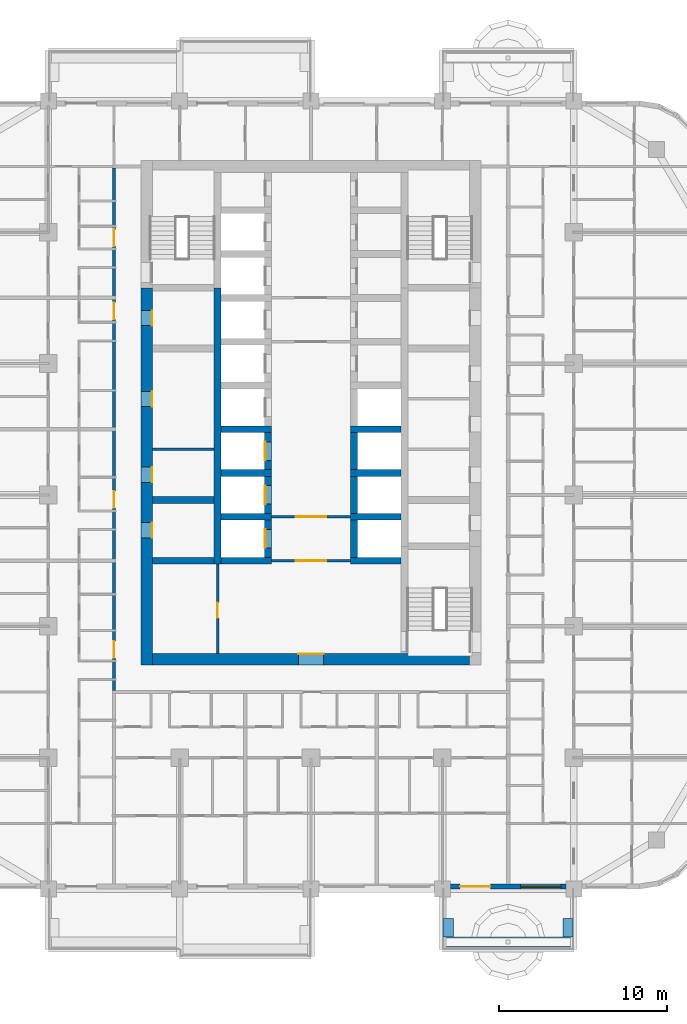
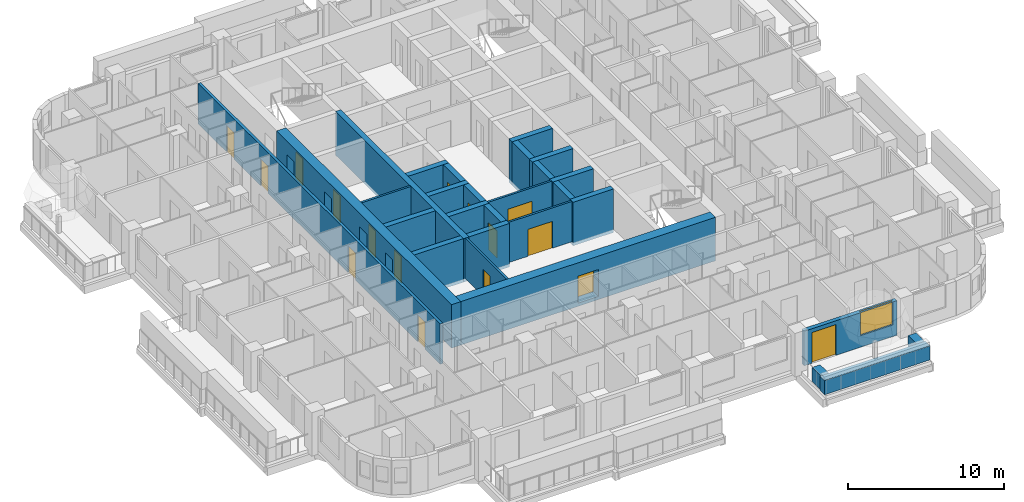
# One storey, part 6 of 19: 28 walls, 16 doors, 1 window, 17 openings.
"""IFC4 building model written with IfcOpenShell, lengths in metres."""

from ifc_helpers import new_model, si_unit, direction, frame, frame_2d, origin, place, context, subcontext, project, spatial, rectangle, extrude, material, layer, layer_set, type_object, element, fill, save


model = new_model("IFC4")

# Units and contexts
model_context = context("Model", 3, precision=1e-05, world=origin(), true_north=direction((0.0, 1.0)))
body_context = subcontext(model_context, "Body", "Model", "MODEL_VIEW")
ifc_project = project(units=[si_unit("LENGTHUNIT", "METRE"), si_unit("AREAUNIT", "SQUARE_METRE"), si_unit("VOLUMEUNIT", "CUBIC_METRE"), si_unit("PLANEANGLEUNIT", "RADIAN"), si_unit("MASSUNIT", "GRAM", prefix="KILO")], contexts=[model_context])

# Site, building, storey
site_placement = place(None, origin())
site = spatial("IfcSite", under=ifc_project, at=site_placement, CompositionType="ELEMENT")
building_placement = place(site_placement, origin())
building = spatial("IfcBuilding", under=site, at=building_placement, Name="Ludao Terraces", CompositionType="ELEMENT")
storey_placement = place(building_placement, frame((0.0, 0.0, 68.199951171875)))
storey = spatial("IfcBuildingStorey", under=building, at=storey_placement, Name="L18", CompositionType="ELEMENT", Elevation=68.199951171875)

# Wall, openings, doors
ifc_material_1 = material(Name="Concrete C70", Category="concrete")
ifc_layer_1 = layer(ifc_material_1, 0.699951171875)
ifc_layer_set_1 = layer_set([ifc_layer_1], Name="Core wall 700 C70")
wall_type_1 = type_object("IfcWallType", Name="Core wall 700 C70", PredefinedType="SOLIDWALL", material=ifc_layer_set_1)
wall_1_placement = place(storey_placement, frame((75.25, 54.89990234375, -0.25), z_axis=(0.0, 0.0, 1.0), x_axis=(0.0, 1.0, 0.0)))
wall_1 = element("IfcWall", 1, at=wall_1_placement, inside=storey, type_object=wall_type_1, Name="Core wall L18 outer-W", PredefinedType="SOLIDWALL", context=body_context, shape_type="SweptSolid", body=[
    extrude(rectangle(XDim=22.400146484375, YDim=0.699951171875, at=frame_2d((11.2001953125, 0.0))), origin(), (0.0, 0.0, 1.0), 3.400146484375),
])
opening_1_placement = place(wall_1_placement, frame((7.550048828125, 0.0, 0.25)))
opening_1 = element("IfcOpeningElement", 2, at=opening_1_placement, cuts=wall_1, Name="Opening R05-079", PredefinedType="OPENING", context=body_context, shape_type="SweptSolid", body=[
    extrude(rectangle(XDim=0.89990234375, YDim=2.10009765625, at=frame_2d((0.449951171875, 1.050048828125))), frame((0.0, 0.35986328125, 0.0), z_axis=(0.0, -1.0, 0.0), x_axis=(1.0, 0.0, 0.0)), (0.0, 0.0, 1.0), 0.719970703125),
])
opening_2_placement = place(wall_1_placement, frame((10.85009765625, 0.0, 0.25)))
opening_2 = element("IfcOpeningElement", 3, at=opening_2_placement, cuts=wall_1, Name="Opening R05-092", PredefinedType="OPENING", context=body_context, shape_type="SweptSolid", body=[
    extrude(rectangle(XDim=0.89990234375, YDim=2.10009765625, at=frame_2d((0.449951171875, 1.050048828125))), frame((0.0, 0.35986328125, 0.0), z_axis=(0.0, -1.0, 0.0), x_axis=(1.0, 0.0, 0.0)), (0.0, 0.0, 1.0), 0.719970703125),
])
opening_3_placement = place(wall_1_placement, frame((15.35009765625, 0.0, 0.25)))
opening_3 = element("IfcOpeningElement", 4, at=opening_3_placement, cuts=wall_1, Name="Opening R05-105", PredefinedType="OPENING", context=body_context, shape_type="SweptSolid", body=[
    extrude(rectangle(XDim=0.89990234375, YDim=2.10009765625, at=frame_2d((0.449951171875, 1.050048828125))), frame((0.0, 0.35986328125, 0.0), z_axis=(0.0, -1.0, 0.0), x_axis=(1.0, 0.0, 0.0)), (0.0, 0.0, 1.0), 0.719970703125),
])
opening_4_placement = place(wall_1_placement, frame((20.14990234375, 0.0, 0.25)))
opening_4 = element("IfcOpeningElement", 5, at=opening_4_placement, cuts=wall_1, Name="Opening R05-123", PredefinedType="OPENING", context=body_context, shape_type="SweptSolid", body=[
    extrude(rectangle(XDim=0.89990234375, YDim=2.10009765625, at=frame_2d((0.449951171875, 1.050048828125))), frame((0.0, 0.35986328125, 0.0), z_axis=(0.0, -1.0, 0.0), x_axis=(1.0, 0.0, 0.0)), (0.0, 0.0, 1.0), 0.719970703125),
])
ifc_material_2 = material(Name="Steel Q235", Category="steel")
door_type_1 = type_object("IfcDoorType", Name="INT Riser door 900", OperationType="SINGLE_SWING_LEFT", PredefinedType="DOOR", material=ifc_material_2)
door_1_placement = place(opening_1_placement, origin())
door_1 = element("IfcDoor", 6, at=door_1_placement, inside=storey, type_object=door_type_1, Name="DOOR 079", OperationType="SINGLE_SWING_RIGHT", OverallHeight=2.10009765625, OverallWidth=0.89990234375, PredefinedType="DOOR", context=body_context, shape_type="SweptSolid", body=[
    extrude(rectangle(XDim=0.89990234375, YDim=2.10009765625, at=frame_2d((0.449951171875, 1.050048828125))), frame((0.0, -0.28515625, 0.0), z_axis=(0.0, -1.0, 0.0), x_axis=(1.0, 0.0, 0.0)), (0.0, 0.0, 1.0), 0.050048828125),
])
fill(opening_1, door_1)
door_2_placement = place(opening_4_placement, origin())
door_2 = element("IfcDoor", 7, at=door_2_placement, inside=storey, type_object=door_type_1, Name="DOOR 123", OperationType="SINGLE_SWING_RIGHT", OverallHeight=2.10009765625, OverallWidth=0.89990234375, PredefinedType="DOOR", context=body_context, shape_type="SweptSolid", body=[
    extrude(rectangle(XDim=0.89990234375, YDim=2.10009765625, at=frame_2d((0.449951171875, 1.050048828125))), frame((0.0, -0.28515625, 0.0), z_axis=(0.0, -1.0, 0.0), x_axis=(1.0, 0.0, 0.0)), (0.0, 0.0, 1.0), 0.050048828125),
])
fill(opening_4, door_2)
ifc_material_3 = material(Name="Timber door leaf", Category="wood")
door_type_2 = type_object("IfcDoorType", Name="INT Room door 900", OperationType="SINGLE_SWING_LEFT", PredefinedType="DOOR", material=ifc_material_3)
door_3_placement = place(opening_2_placement, origin())
door_3 = element("IfcDoor", 8, at=door_3_placement, inside=storey, type_object=door_type_2, Name="DOOR 092", OperationType="SINGLE_SWING_RIGHT", OverallHeight=2.10009765625, OverallWidth=0.89990234375, PredefinedType="DOOR", context=body_context, shape_type="SweptSolid", body=[
    extrude(rectangle(XDim=0.89990234375, YDim=2.10009765625, at=frame_2d((0.449951171875, 1.050048828125))), frame((0.0, -0.28515625, 0.0), z_axis=(0.0, -1.0, 0.0), x_axis=(1.0, 0.0, 0.0)), (0.0, 0.0, 1.0), 0.050048828125),
])
fill(opening_2, door_3)
door_4_placement = place(opening_3_placement, origin())
door_4 = element("IfcDoor", 9, at=door_4_placement, inside=storey, type_object=door_type_2, Name="DOOR 105", OperationType="SINGLE_SWING_LEFT", OverallHeight=2.10009765625, OverallWidth=0.89990234375, PredefinedType="DOOR", context=body_context, shape_type="SweptSolid", body=[
    extrude(rectangle(XDim=0.89990234375, YDim=2.10009765625, at=frame_2d((0.449951171875, 1.050048828125))), frame((0.0, -0.28515625, 0.0), z_axis=(0.0, -1.0, 0.0), x_axis=(1.0, 0.0, 0.0)), (0.0, 0.0, 1.0), 0.050048828125),
])
fill(opening_3, door_4)

# Wall, opening, door
wall_2_placement = place(storey_placement, frame((75.60009765625, 55.25, -0.25), z_axis=(0.0, 0.0, 1.0), x_axis=(1.0, 0.0, 0.0)))
wall_2 = element("IfcWall", 10, at=wall_2_placement, inside=storey, type_object=wall_type_1, Name="Core wall L18 outer-S", PredefinedType="SOLIDWALL", context=body_context, shape_type="SweptSolid", body=[
    extrude(rectangle(XDim=18.7998046875, YDim=0.699951171875, at=frame_2d((9.39990234375, 0.0))), origin(), (0.0, 0.0, 1.0), 3.400146484375),
])
opening_5_placement = place(wall_2_placement, frame((8.64990234375, 0.0, 0.25)))
opening_5 = element("IfcOpeningElement", 11, at=opening_5_placement, cuts=wall_2, Name="Opening R05-054", PredefinedType="OPENING", context=body_context, shape_type="SweptSolid", body=[
    extrude(rectangle(XDim=1.5, YDim=2.10009765625, at=frame_2d((0.75, 1.050048828125))), frame((0.0, 0.35986328125, 0.0), z_axis=(0.0, -1.0, 0.0), x_axis=(1.0, 0.0, 0.0)), (0.0, 0.0, 1.0), 0.719970703125),
])
door_type_3 = type_object("IfcDoorType", Name="INT Lobby door 1500", OperationType="DOUBLE_DOOR_SINGLE_SWING", PredefinedType="DOOR", material=ifc_material_2)
door_5_placement = place(opening_5_placement, origin())
door_5 = element("IfcDoor", 12, at=door_5_placement, inside=storey, type_object=door_type_3, Name="DOOR 054", OperationType="DOUBLE_DOOR_SINGLE_SWING", OverallHeight=2.10009765625, OverallWidth=1.5, PredefinedType="DOOR", context=body_context, shape_type="SweptSolid", body=[
    extrude(rectangle(XDim=1.5, YDim=2.10009765625, at=frame_2d((0.75, 1.050048828125))), frame((0.0, 0.3349609375, 0.0), z_axis=(0.0, -1.0, 0.0), x_axis=(1.0, 0.0, 0.0)), (0.0, 0.0, 1.0), 0.050048828125),
])
fill(opening_5, door_5)

# Walls
ifc_material_4 = material(Name="Concrete C40", Category="concrete")
ifc_layer_2 = layer(ifc_material_4, 0.60009765625)
ifc_layer_set_2 = layer_set([ifc_layer_2], Name="ENV Planter trough 600")
wall_type_2 = type_object("IfcWallType", Name="ENV Planter trough 600", PredefinedType="USERDEFINED", material=ifc_layer_set_2)
wall_3_placement = place(storey_placement, frame((92.800048828125, 38.449951171875, 0.0), z_axis=(0.0, 0.0, 1.0), x_axis=(1.0, 0.0, 0.0)))
element("IfcWall", 13, at=wall_3_placement, inside=storey, type_object=wall_type_2, Name="PL-L18-S4", ObjectType="PLANTER", PredefinedType="USERDEFINED", context=body_context, shape_type="SweptSolid", body=[
    extrude(rectangle(XDim=7.800048828125, YDim=0.60009765625, at=frame_2d((3.89990234375, 0.0))), origin(), (0.0, 0.0, 1.0), 1.10009765625),
])
for number, where, z_axis, x_axis, name in (
    (14, (93.14990234375, 38.75, 0.0), (0.0, 0.0, 1.0), (0.0, 1.0, 0.0), "PL-L18-S4-SA"),
    (15, (100.25, 38.75, 0.0), (0.0, 0.0, 1.0), (0.0, 1.0, 0.0), "PL-L18-S4-SB"),
):
    element("IfcWall", number, at=place(storey_placement, frame(where, z_axis=z_axis, x_axis=x_axis)), inside=storey, type_object=wall_type_2, Name=name, ObjectType="PLANTER", PredefinedType="USERDEFINED", context=body_context, shape_type="SweptSolid", body=[
        extrude(rectangle(XDim=1.10009765625, YDim=0.60009765625, at=frame_2d((0.550048828125, 0.0))), origin(), (0.0, 0.0, 1.0), 1.10009765625),
    ])

# Wall, openings, door, window
ifc_material_5 = material(Name="Granite cladding", Category="masonry")
ifc_layer_3 = layer(ifc_material_5, 0.0400390625, Category="stone")
ifc_material_6 = material(Name="Mineral wool")
ifc_layer_4 = layer(ifc_material_6, 0.06005859375)
ifc_layer_5 = layer(ifc_material_4, 0.199951171875, Category="concrete")
ifc_layer_set_3 = layer_set([ifc_layer_3, ifc_layer_4, ifc_layer_5], Name="ENV Stone-clad wall 300")
wall_type_3 = type_object("IfcWallType", Name="ENV Stone-clad wall 300", PredefinedType="SOLIDWALL", material=ifc_layer_set_3)
wall_4_placement = place(storey_placement, frame((93.27490234375, 41.75, 0.0), z_axis=(0.0, 0.0, 1.0), x_axis=(1.0, 0.0, 0.0)))
wall_4 = element("IfcWall", 16, at=wall_4_placement, inside=storey, type_object=wall_type_3, Name="EW-L18-S5", PredefinedType="SOLIDWALL", context=body_context, shape_type="SweptSolid", body=[
    extrude(rectangle(XDim=6.85009765625, YDim=0.300048828125, at=frame_2d((3.425048828125, 0.0))), origin(), (0.0, 0.0, 1.0), 2.699951171875),
])
opening_6_placement = place(wall_4_placement, frame((0.574951171875, 0.0, 0.0)))
opening_6 = element("IfcOpeningElement", 17, at=opening_6_placement, cuts=wall_4, Name="Opening BD", PredefinedType="OPENING", context=body_context, shape_type="SweptSolid", body=[
    extrude(rectangle(XDim=1.800048828125, YDim=2.39990234375, at=frame_2d((0.89990234375, 1.199951171875))), frame((0.0, 0.16015625, 0.0), z_axis=(0.0, -1.0, 0.0), x_axis=(1.0, 0.0, 0.0)), (0.0, 0.0, 1.0), 0.320068359375),
])
opening_7_placement = place(wall_4_placement, frame((4.175048828125, 0.0, 0.89990234375)))
opening_7 = element("IfcOpeningElement", 18, at=opening_7_placement, cuts=wall_4, Name="Opening W1", PredefinedType="OPENING", context=body_context, shape_type="SweptSolid", body=[
    extrude(rectangle(XDim=2.39990234375, YDim=1.800048828125, at=frame_2d((1.199951171875, 0.89990234375))), frame((0.0, 0.16015625, 0.0), z_axis=(0.0, -1.0, 0.0), x_axis=(1.0, 0.0, 0.0)), (0.0, 0.0, 1.0), 0.320068359375),
])
ifc_material_7 = material(Name="Aluminium glazed door", Category="aluminium")
ifc_layer_6 = layer(ifc_material_7, 0.06005859375)
ifc_layer_set_4 = layer_set([ifc_layer_6], Name="ENV Balcony door BD 1800x2400")
door_type_4 = type_object("IfcDoorType", Name="ENV Balcony door BD 1800x2400", OperationType="DOUBLE_DOOR_SINGLE_SWING", PredefinedType="DOOR", material=ifc_layer_set_4)
door_6_placement = place(opening_6_placement, origin())
door_6 = element("IfcDoor", 19, at=door_6_placement, inside=storey, type_object=door_type_4, Name="BD-L18-S5-1", OperationType="DOUBLE_DOOR_SINGLE_SWING", OverallHeight=2.39990234375, OverallWidth=1.800048828125, PredefinedType="DOOR", context=body_context, shape_type="SweptSolid", body=[
    extrude(rectangle(XDim=1.800048828125, YDim=2.39990234375, at=frame_2d((0.89990234375, 1.199951171875))), frame((0.0, 0.02490234375, 0.0), z_axis=(0.0, -1.0, 0.0), x_axis=(1.0, 0.0, 0.0)), (0.0, 0.0, 1.0), 0.050048828125),
])
fill(opening_6, door_6)
ifc_material_8 = material(Name="Clear glass in aluminium frame", Category="aluminium")
ifc_layer_7 = layer(ifc_material_8, 0.06005859375)
ifc_layer_set_5 = layer_set([ifc_layer_7], Name="ENV Window W1 2400x1800")
window_type = type_object("IfcWindowType", Name="ENV Window W1 2400x1800", PartitioningType="DOUBLE_PANEL_VERTICAL", PredefinedType="WINDOW", material=ifc_layer_set_5)
window_placement = place(opening_7_placement, origin())
window = element("IfcWindow", 20, at=window_placement, inside=storey, type_object=window_type, Name="W-L18-S5-2", OverallHeight=1.800048828125, OverallWidth=2.39990234375, PartitioningType="DOUBLE_PANEL_VERTICAL", PredefinedType="WINDOW", context=body_context, shape_type="SweptSolid", body=[
    extrude(rectangle(XDim=2.39990234375, YDim=1.800048828125, at=frame_2d((1.199951171875, 0.89990234375))), frame((0.0, 0.030029296875, 0.0), z_axis=(0.0, -1.0, 0.0), x_axis=(1.0, 0.0, 0.0)), (0.0, 0.0, 1.0), 0.06005859375),
])
fill(opening_7, window)

# Wall, opening, door
ifc_material_9 = material(Name="Fire-rated gypsum plasterboard", Category="gypsum")
ifc_layer_8 = layer(ifc_material_9, 0.012451171875, Category="gypsum")
ifc_layer_9 = layer(ifc_material_6, 0.10009765625, Name="insulation")
ifc_layer_10 = layer(ifc_material_2, 0.02490234375, Name="stud")
ifc_layer_11 = layer(ifc_material_9, 0.012451171875, Category="gypsum")
ifc_layer_set_6 = layer_set([ifc_layer_8, ifc_layer_9, ifc_layer_10, ifc_layer_11], Name="INT Core partition 150")
wall_type_4 = type_object("IfcWallType", Name="INT Core partition 150", PredefinedType="PARTITIONING", material=ifc_layer_set_6)
wall_5_placement = place(storey_placement, frame((82.650146484375, 61.10009765625, 0.0), z_axis=(0.0, 0.0, 1.0), x_axis=(1.0, 0.0, 0.0)))
wall_5 = element("IfcWall", 21, at=wall_5_placement, inside=storey, type_object=wall_type_4, Name="PW-L18-PW034", PredefinedType="PARTITIONING", context=body_context, shape_type="SweptSolid", body=[
    extrude(rectangle(XDim=4.699951171875, YDim=0.14990234375, at=frame_2d((2.35009765625, 0.0))), origin(), (0.0, 0.0, 1.0), 3.150146484375),
])
opening_8_placement = place(wall_5_placement, frame((1.449951171875, 0.0, 0.0)))
opening_8 = element("IfcOpeningElement", 22, at=opening_8_placement, cuts=wall_5, Name="Opening R05-073", PredefinedType="OPENING", context=body_context, shape_type="SweptSolid", body=[
    extrude(rectangle(XDim=1.800048828125, YDim=2.10009765625, at=frame_2d((0.89990234375, 1.050048828125))), frame((0.0, 0.0849609375, 0.0), z_axis=(0.0, -1.0, 0.0), x_axis=(1.0, 0.0, 0.0)), (0.0, 0.0, 1.0), 0.169921875),
])
door_type_5 = type_object("IfcDoorType", Name="INT Fire lobby door 1800", OperationType="DOUBLE_DOOR_SINGLE_SWING", PredefinedType="DOOR", material=ifc_material_2)
door_7_placement = place(opening_8_placement, origin())
door_7 = element("IfcDoor", 23, at=door_7_placement, inside=storey, type_object=door_type_5, Name="DOOR 073", OperationType="DOUBLE_DOOR_SINGLE_SWING", OverallHeight=2.10009765625, OverallWidth=1.800048828125, PredefinedType="DOOR", context=body_context, shape_type="SweptSolid", body=[
    extrude(rectangle(XDim=1.800048828125, YDim=2.10009765625, at=frame_2d((0.89990234375, 1.050048828125))), frame((0.0, 0.02490234375, 0.0), z_axis=(0.0, -1.0, 0.0), x_axis=(1.0, 0.0, 0.0)), (0.0, 0.0, 1.0), 0.050048828125),
])
fill(opening_8, door_7)

wall_6_placement = place(storey_placement, frame((82.650146484375, 63.699951171875, 0.0), z_axis=(0.0, 0.0, 1.0), x_axis=(1.0, 0.0, 0.0)))
wall_6 = element("IfcWall", 24, at=wall_6_placement, inside=storey, type_object=wall_type_4, Name="PW-L18-PW040", PredefinedType="PARTITIONING", context=body_context, shape_type="SweptSolid", body=[
    extrude(rectangle(XDim=4.699951171875, YDim=0.14990234375, at=frame_2d((2.35009765625, 0.0))), origin(), (0.0, 0.0, 1.0), 3.150146484375),
])
opening_9_placement = place(wall_6_placement, frame((1.449951171875, 0.0, 0.0)))
opening_9 = element("IfcOpeningElement", 25, at=opening_9_placement, cuts=wall_6, Name="Opening R05-081", PredefinedType="OPENING", context=body_context, shape_type="SweptSolid", body=[
    extrude(rectangle(XDim=1.800048828125, YDim=2.10009765625, at=frame_2d((0.89990234375, 1.050048828125))), frame((0.0, 0.0849609375, 0.0), z_axis=(0.0, -1.0, 0.0), x_axis=(1.0, 0.0, 0.0)), (0.0, 0.0, 1.0), 0.169921875),
])
door_8_placement = place(opening_9_placement, origin())
door_8 = element("IfcDoor", 26, at=door_8_placement, inside=storey, type_object=door_type_5, Name="DOOR 081", OperationType="DOUBLE_DOOR_SINGLE_SWING", OverallHeight=2.10009765625, OverallWidth=1.800048828125, PredefinedType="DOOR", context=body_context, shape_type="SweptSolid", body=[
    extrude(rectangle(XDim=1.800048828125, YDim=2.10009765625, at=frame_2d((0.89990234375, 1.050048828125))), frame((0.0, 0.02490234375, 0.0), z_axis=(0.0, -1.0, 0.0), x_axis=(1.0, 0.0, 0.0)), (0.0, 0.0, 1.0), 0.050048828125),
])
fill(opening_9, door_8)

# Wall
wall_7_placement = place(storey_placement, frame((75.60009765625, 67.699951171875, 0.0), z_axis=(0.0, 0.0, 1.0), x_axis=(1.0, 0.0, 0.0)))
element("IfcWall", 27, at=wall_7_placement, inside=storey, type_object=wall_type_4, Name="PW-L18-PW047", PredefinedType="PARTITIONING", context=body_context, shape_type="SweptSolid", body=[
    extrude(rectangle(XDim=3.64990234375, YDim=0.14990234375, at=frame_2d((1.824951171875, 0.0))), origin(), (0.0, 0.0, 1.0), 3.150146484375),
])

# Wall, opening, door
wall_8_placement = place(storey_placement, frame((79.449951171875, 55.60009765625, 0.0), z_axis=(0.0, 0.0, 1.0), x_axis=(0.0, 1.0, 0.0)))
wall_8 = element("IfcWall", 28, at=wall_8_placement, inside=storey, type_object=wall_type_4, Name="PW-L18-PW100", PredefinedType="PARTITIONING", context=body_context, shape_type="SweptSolid", body=[
    extrude(rectangle(XDim=5.300048828125, YDim=0.14990234375, at=frame_2d((2.64990234375, 0.0))), origin(), (0.0, 0.0, 1.0), 3.150146484375),
])
opening_10_placement = place(wall_8_placement, frame((2.10009765625, 0.0, 0.0)))
opening_10 = element("IfcOpeningElement", 29, at=opening_10_placement, cuts=wall_8, Name="Opening R05-064", PredefinedType="OPENING", context=body_context, shape_type="SweptSolid", body=[
    extrude(rectangle(XDim=0.89990234375, YDim=2.10009765625, at=frame_2d((0.449951171875, 1.050048828125))), frame((0.0, 0.0849609375, 0.0), z_axis=(0.0, -1.0, 0.0), x_axis=(1.0, 0.0, 0.0)), (0.0, 0.0, 1.0), 0.169921875),
])
door_9_placement = place(opening_10_placement, origin())
door_9 = element("IfcDoor", 30, at=door_9_placement, inside=storey, type_object=door_type_2, Name="DOOR 064", OperationType="SINGLE_SWING_LEFT", OverallHeight=2.10009765625, OverallWidth=0.89990234375, PredefinedType="DOOR", context=body_context, shape_type="SweptSolid", body=[
    extrude(rectangle(XDim=0.89990234375, YDim=2.10009765625, at=frame_2d((0.449951171875, 1.050048828125))), frame((0.0, 0.02490234375, 0.0), z_axis=(0.0, -1.0, 0.0), x_axis=(1.0, 0.0, 0.0)), (0.0, 0.0, 1.0), 0.050048828125),
])
fill(opening_10, door_9)

# Wall, openings, doors
ifc_material_10 = material(Name="Autoclaved aerated concrete block B06 A3.5", Category="concrete")
ifc_layer_12 = layer(ifc_material_10, 0.199951171875)
ifc_layer_set_7 = layer_set([ifc_layer_12], Name="INT Entrance wall 200")
wall_type_5 = type_object("IfcWallType", Name="INT Entrance wall 200", PredefinedType="PARTITIONING", material=ifc_layer_set_7)
wall_9_placement = place(storey_placement, frame((73.300048828125, 53.400146484375, 0.0), z_axis=(0.0, 0.0, 1.0), x_axis=(0.0, 1.0, 0.0)))
wall_9 = element("IfcWall", 31, at=wall_9_placement, inside=storey, type_object=wall_type_5, Name="PW-L18-PW092", PredefinedType="PARTITIONING", context=body_context, shape_type="SweptSolid", body=[
    extrude(rectangle(XDim=31.0, YDim=0.199951171875, at=frame_2d((15.5, 0.0))), origin(), (0.0, 0.0, 1.0), 3.150146484375),
])
opening_11_placement = place(wall_9_placement, frame((1.925048828125, 0.0, 0.0)))
opening_11 = element("IfcOpeningElement", 32, at=opening_11_placement, cuts=wall_9, Name="Opening R05-056", PredefinedType="OPENING", context=body_context, shape_type="SweptSolid", body=[
    extrude(rectangle(XDim=1.0, YDim=2.10009765625, at=frame_2d((0.5, 1.050048828125))), frame((0.0, 0.10986328125, 0.0), z_axis=(0.0, -1.0, 0.0), x_axis=(1.0, 0.0, 0.0)), (0.0, 0.0, 1.0), 0.219970703125),
])
opening_12_placement = place(wall_9_placement, frame((10.824951171875, 0.0, 0.0)))
opening_12 = element("IfcOpeningElement", 33, at=opening_12_placement, cuts=wall_9, Name="Opening R05-087", PredefinedType="OPENING", context=body_context, shape_type="SweptSolid", body=[
    extrude(rectangle(XDim=1.0, YDim=2.10009765625, at=frame_2d((0.5, 1.050048828125))), frame((0.0, 0.10986328125, 0.0), z_axis=(0.0, -1.0, 0.0), x_axis=(1.0, 0.0, 0.0)), (0.0, 0.0, 1.0), 0.219970703125),
])
opening_13_placement = place(wall_9_placement, frame((22.02490234375, 0.0, 0.0)))
opening_13 = element("IfcOpeningElement", 34, at=opening_13_placement, cuts=wall_9, Name="Opening R05-127", PredefinedType="OPENING", context=body_context, shape_type="SweptSolid", body=[
    extrude(rectangle(XDim=1.0, YDim=2.10009765625, at=frame_2d((0.5, 1.050048828125))), frame((0.0, 0.10986328125, 0.0), z_axis=(0.0, -1.0, 0.0), x_axis=(1.0, 0.0, 0.0)), (0.0, 0.0, 1.0), 0.219970703125),
])
opening_14_placement = place(wall_9_placement, frame((26.375, 0.0, 0.0)))
opening_14 = element("IfcOpeningElement", 35, at=opening_14_placement, cuts=wall_9, Name="Opening R05-142", PredefinedType="OPENING", context=body_context, shape_type="SweptSolid", body=[
    extrude(rectangle(XDim=1.0, YDim=2.10009765625, at=frame_2d((0.5, 1.050048828125))), frame((0.0, 0.10986328125, 0.0), z_axis=(0.0, -1.0, 0.0), x_axis=(1.0, 0.0, 0.0)), (0.0, 0.0, 1.0), 0.219970703125),
])
door_type_6 = type_object("IfcDoorType", Name="INT Flat entrance door 1000", OperationType="SINGLE_SWING_LEFT", PredefinedType="DOOR", material=ifc_material_2)
door_10_placement = place(opening_11_placement, origin())
door_10 = element("IfcDoor", 36, at=door_10_placement, inside=storey, type_object=door_type_6, Name="DOOR 056", OperationType="SINGLE_SWING_RIGHT", OverallHeight=2.10009765625, OverallWidth=1.0, PredefinedType="DOOR", context=body_context, shape_type="SweptSolid", body=[
    extrude(rectangle(XDim=1.0, YDim=2.10009765625, at=frame_2d((0.5, 1.050048828125))), frame((0.0, 0.02490234375, 0.0), z_axis=(0.0, -1.0, 0.0), x_axis=(1.0, 0.0, 0.0)), (0.0, 0.0, 1.0), 0.050048828125),
])
fill(opening_11, door_10)
door_11_placement = place(opening_12_placement, origin())
door_11 = element("IfcDoor", 37, at=door_11_placement, inside=storey, type_object=door_type_6, Name="DOOR 087", OperationType="SINGLE_SWING_RIGHT", OverallHeight=2.10009765625, OverallWidth=1.0, PredefinedType="DOOR", context=body_context, shape_type="SweptSolid", body=[
    extrude(rectangle(XDim=1.0, YDim=2.10009765625, at=frame_2d((0.5, 1.050048828125))), frame((0.0, 0.02490234375, 0.0), z_axis=(0.0, -1.0, 0.0), x_axis=(1.0, 0.0, 0.0)), (0.0, 0.0, 1.0), 0.050048828125),
])
fill(opening_12, door_11)
door_12_placement = place(opening_13_placement, origin())
door_12 = element("IfcDoor", 38, at=door_12_placement, inside=storey, type_object=door_type_6, Name="DOOR 127", OperationType="SINGLE_SWING_RIGHT", OverallHeight=2.10009765625, OverallWidth=1.0, PredefinedType="DOOR", context=body_context, shape_type="SweptSolid", body=[
    extrude(rectangle(XDim=1.0, YDim=2.10009765625, at=frame_2d((0.5, 1.050048828125))), frame((0.0, 0.02490234375, 0.0), z_axis=(0.0, -1.0, 0.0), x_axis=(1.0, 0.0, 0.0)), (0.0, 0.0, 1.0), 0.050048828125),
])
fill(opening_13, door_12)
door_13_placement = place(opening_14_placement, origin())
door_13 = element("IfcDoor", 39, at=door_13_placement, inside=storey, type_object=door_type_6, Name="DOOR 142", OperationType="SINGLE_SWING_RIGHT", OverallHeight=2.10009765625, OverallWidth=1.0, PredefinedType="DOOR", context=body_context, shape_type="SweptSolid", body=[
    extrude(rectangle(XDim=1.0, YDim=2.10009765625, at=frame_2d((0.5, 1.050048828125))), frame((0.0, 0.02490234375, 0.0), z_axis=(0.0, -1.0, 0.0), x_axis=(1.0, 0.0, 0.0)), (0.0, 0.0, 1.0), 0.050048828125),
])
fill(opening_14, door_13)

# Walls
ifc_material_11 = material(Name="Concrete C60", Category="concrete")
ifc_layer_13 = layer(ifc_material_11, 0.39990234375)
ifc_layer_set_8 = layer_set([ifc_layer_13], Name="Shaft wall 400 C60")
wall_type_6 = type_object("IfcWallType", Name="Shaft wall 400 C60", PredefinedType="SOLIDWALL", material=ifc_layer_set_8)
wall_10_placement = place(storey_placement, frame((79.449951171875, 60.89990234375, -0.25), z_axis=(0.0, 0.0, 1.0), x_axis=(0.0, 1.0, 0.0)))
element("IfcWall", 40, at=wall_10_placement, inside=storey, type_object=wall_type_6, Name="Core wall L18 back-W", PredefinedType="SOLIDWALL", context=body_context, shape_type="SweptSolid", body=[
    extrude(rectangle(XDim=16.400146484375, YDim=0.39990234375, at=frame_2d((8.2001953125, 0.0))), origin(), (0.0, 0.0, 1.0), 3.400146484375),
])
wall_11_placement = place(storey_placement, frame((79.64990234375, 61.10009765625, -0.25), z_axis=(0.0, 0.0, 1.0), x_axis=(1.0, 0.0, 0.0)))
element("IfcWall", 41, at=wall_11_placement, inside=storey, type_object=wall_type_6, Name="Core wall L18 div-W1", PredefinedType="SOLIDWALL", context=body_context, shape_type="SweptSolid", body=[
    extrude(rectangle(XDim=3.0, YDim=0.39990234375, at=frame_2d((1.5, 0.0))), origin(), (0.0, 0.0, 1.0), 3.400146484375),
])

# Wall, opening, door
wall_12_placement = place(storey_placement, frame((82.449951171875, 61.300048828125, -0.25), z_axis=(0.0, 0.0, 1.0), x_axis=(0.0, 1.0, 0.0)))
wall_12 = element("IfcWall", 42, at=wall_12_placement, inside=storey, type_object=wall_type_6, Name="Core wall L18 front-W1", PredefinedType="SOLIDWALL", context=body_context, shape_type="SweptSolid", body=[
    extrude(rectangle(XDim=2.199951171875, YDim=0.39990234375, at=frame_2d((1.10009765625, 0.0))), origin(), (0.0, 0.0, 1.0), 3.400146484375),
])
opening_15_placement = place(wall_12_placement, frame((0.550048828125, 0.0, 0.25)))
opening_15 = element("IfcOpeningElement", 43, at=opening_15_placement, cuts=wall_12, Name="Opening LD-LA1", PredefinedType="OPENING", context=body_context, shape_type="SweptSolid", body=[
    extrude(rectangle(XDim=1.10009765625, YDim=2.10009765625, at=frame_2d((0.550048828125, 1.050048828125))), frame((0.0, 0.2099609375, 0.0), z_axis=(0.0, -1.0, 0.0), x_axis=(1.0, 0.0, 0.0)), (0.0, 0.0, 1.0), 0.419921875),
])
ifc_material_12 = material(Name="Stainless steel 304", Category="steel")
door_type_7 = type_object("IfcDoorType", Name="INT Lift landing door 1100", OperationType="SLIDING_TO_LEFT", PredefinedType="DOOR", material=ifc_material_12)
door_14_placement = place(opening_15_placement, origin())
door_14 = element("IfcDoor", 44, at=door_14_placement, inside=storey, type_object=door_type_7, Name="LANDING DOOR LA1 L18", OperationType="SLIDING_TO_RIGHT", OverallHeight=2.10009765625, OverallWidth=1.10009765625, PredefinedType="DOOR", context=body_context, shape_type="SweptSolid", body=[
    extrude(rectangle(XDim=1.10009765625, YDim=2.10009765625, at=frame_2d((0.550048828125, 1.050048828125))), frame((0.0, 0.18505859375, 0.0), z_axis=(0.0, -1.0, 0.0), x_axis=(1.0, 0.0, 0.0)), (0.0, 0.0, 1.0), 0.050048828125),
])
fill(opening_15, door_14)

# Wall
wall_13_placement = place(storey_placement, frame((79.64990234375, 63.699951171875, -0.25), z_axis=(0.0, 0.0, 1.0), x_axis=(1.0, 0.0, 0.0)))
element("IfcWall", 45, at=wall_13_placement, inside=storey, type_object=wall_type_6, Name="Core wall L18 div-W2", PredefinedType="SOLIDWALL", context=body_context, shape_type="SweptSolid", body=[
    extrude(rectangle(XDim=3.0, YDim=0.39990234375, at=frame_2d((1.5, 0.0))), origin(), (0.0, 0.0, 1.0), 3.400146484375),
])

# Wall, opening, door
wall_14_placement = place(storey_placement, frame((82.449951171875, 63.89990234375, -0.25), z_axis=(0.0, 0.0, 1.0), x_axis=(0.0, 1.0, 0.0)))
wall_14 = element("IfcWall", 46, at=wall_14_placement, inside=storey, type_object=wall_type_6, Name="Core wall L18 front-W2", PredefinedType="SOLIDWALL", context=body_context, shape_type="SweptSolid", body=[
    extrude(rectangle(XDim=2.2001953125, YDim=0.39990234375, at=frame_2d((1.10009765625, 0.0))), origin(), (0.0, 0.0, 1.0), 3.400146484375),
])
opening_16_placement = place(wall_14_placement, frame((0.550048828125, 0.0, 0.25)))
opening_16 = element("IfcOpeningElement", 47, at=opening_16_placement, cuts=wall_14, Name="Opening LD-LA2", PredefinedType="OPENING", context=body_context, shape_type="SweptSolid", body=[
    extrude(rectangle(XDim=1.10009765625, YDim=2.10009765625, at=frame_2d((0.550048828125, 1.050048828125))), frame((0.0, 0.2099609375, 0.0), z_axis=(0.0, -1.0, 0.0), x_axis=(1.0, 0.0, 0.0)), (0.0, 0.0, 1.0), 0.419921875),
])
door_15_placement = place(opening_16_placement, origin())
door_15 = element("IfcDoor", 48, at=door_15_placement, inside=storey, type_object=door_type_7, Name="LANDING DOOR LA2 L18", OperationType="SLIDING_TO_RIGHT", OverallHeight=2.10009765625, OverallWidth=1.10009765625, PredefinedType="DOOR", context=body_context, shape_type="SweptSolid", body=[
    extrude(rectangle(XDim=1.10009765625, YDim=2.10009765625, at=frame_2d((0.550048828125, 1.050048828125))), frame((0.0, 0.18505859375, 0.0), z_axis=(0.0, -1.0, 0.0), x_axis=(1.0, 0.0, 0.0)), (0.0, 0.0, 1.0), 0.050048828125),
])
fill(opening_16, door_15)

# Wall
wall_15_placement = place(storey_placement, frame((79.64990234375, 66.300048828125, -0.25), z_axis=(0.0, 0.0, 1.0), x_axis=(1.0, 0.0, 0.0)))
element("IfcWall", 49, at=wall_15_placement, inside=storey, type_object=wall_type_6, Name="Core wall L18 div-W3", PredefinedType="SOLIDWALL", context=body_context, shape_type="SweptSolid", body=[
    extrude(rectangle(XDim=3.0, YDim=0.39990234375, at=frame_2d((1.5, 0.0))), origin(), (0.0, 0.0, 1.0), 3.400146484375),
])

# Wall, opening, door
wall_16_placement = place(storey_placement, frame((82.449951171875, 66.5, -0.25), z_axis=(0.0, 0.0, 1.0), x_axis=(0.0, 1.0, 0.0)))
wall_16 = element("IfcWall", 50, at=wall_16_placement, inside=storey, type_object=wall_type_6, Name="Core wall L18 front-W3", PredefinedType="SOLIDWALL", context=body_context, shape_type="SweptSolid", body=[
    extrude(rectangle(XDim=2.199951171875, YDim=0.39990234375, at=frame_2d((1.10009765625, 0.0))), origin(), (0.0, 0.0, 1.0), 3.400146484375),
])
opening_17_placement = place(wall_16_placement, frame((0.550048828125, 0.0, 0.25)))
opening_17 = element("IfcOpeningElement", 51, at=opening_17_placement, cuts=wall_16, Name="Opening LD-LA3", PredefinedType="OPENING", context=body_context, shape_type="SweptSolid", body=[
    extrude(rectangle(XDim=1.10009765625, YDim=2.10009765625, at=frame_2d((0.550048828125, 1.050048828125))), frame((0.0, 0.2099609375, 0.0), z_axis=(0.0, -1.0, 0.0), x_axis=(1.0, 0.0, 0.0)), (0.0, 0.0, 1.0), 0.419921875),
])
door_16_placement = place(opening_17_placement, origin())
door_16 = element("IfcDoor", 52, at=door_16_placement, inside=storey, type_object=door_type_7, Name="LANDING DOOR LA3 L18", OperationType="SLIDING_TO_RIGHT", OverallHeight=2.10009765625, OverallWidth=1.10009765625, PredefinedType="DOOR", context=body_context, shape_type="SweptSolid", body=[
    extrude(rectangle(XDim=1.10009765625, YDim=2.10009765625, at=frame_2d((0.550048828125, 1.050048828125))), frame((0.0, 0.18505859375, 0.0), z_axis=(0.0, -1.0, 0.0), x_axis=(1.0, 0.0, 0.0)), (0.0, 0.0, 1.0), 0.050048828125),
])
fill(opening_17, door_16)

# Walls
for number, where, z_axis, x_axis, name in (
    (53, (79.64990234375, 68.89990234375, -0.25), (0.0, 0.0, 1.0), (1.0, 0.0, 0.0), "Core wall L18 div-W4"),
    (54, (87.35009765625, 61.10009765625, -0.25), (0.0, 0.0, 1.0), (1.0, 0.0, 0.0), "Core wall L18 div-E1"),
):
    element("IfcWall", number, at=place(storey_placement, frame(where, z_axis=z_axis, x_axis=x_axis)), inside=storey, type_object=wall_type_6, Name=name, PredefinedType="SOLIDWALL", context=body_context, shape_type="SweptSolid", body=[
        extrude(rectangle(XDim=3.0, YDim=0.39990234375, at=frame_2d((1.5, 0.0))), origin(), (0.0, 0.0, 1.0), 3.400146484375),
    ])
wall_17_placement = place(storey_placement, frame((87.550048828125, 61.300048828125, -0.25), z_axis=(0.0, 0.0, 1.0), x_axis=(0.0, 1.0, 0.0)))
element("IfcWall", 55, at=wall_17_placement, inside=storey, type_object=wall_type_6, Name="Core wall L18 front-E1", PredefinedType="SOLIDWALL", context=body_context, shape_type="SweptSolid", body=[
    extrude(rectangle(XDim=2.199951171875, YDim=0.39990234375, at=frame_2d((1.10009765625, 0.0))), origin(), (0.0, 0.0, 1.0), 3.400146484375),
])
wall_18_placement = place(storey_placement, frame((87.35009765625, 63.699951171875, -0.25), z_axis=(0.0, 0.0, 1.0), x_axis=(1.0, 0.0, 0.0)))
element("IfcWall", 56, at=wall_18_placement, inside=storey, type_object=wall_type_6, Name="Core wall L18 div-E2", PredefinedType="SOLIDWALL", context=body_context, shape_type="SweptSolid", body=[
    extrude(rectangle(XDim=3.0, YDim=0.39990234375, at=frame_2d((1.5, 0.0))), origin(), (0.0, 0.0, 1.0), 3.400146484375),
])
wall_19_placement = place(storey_placement, frame((87.550048828125, 63.89990234375, -0.25), z_axis=(0.0, 0.0, 1.0), x_axis=(0.0, 1.0, 0.0)))
element("IfcWall", 57, at=wall_19_placement, inside=storey, type_object=wall_type_6, Name="Core wall L18 front-E2", PredefinedType="SOLIDWALL", context=body_context, shape_type="SweptSolid", body=[
    extrude(rectangle(XDim=2.2001953125, YDim=0.39990234375, at=frame_2d((1.10009765625, 0.0))), origin(), (0.0, 0.0, 1.0), 3.400146484375),
])
wall_20_placement = place(storey_placement, frame((87.35009765625, 66.300048828125, -0.25), z_axis=(0.0, 0.0, 1.0), x_axis=(1.0, 0.0, 0.0)))
element("IfcWall", 58, at=wall_20_placement, inside=storey, type_object=wall_type_6, Name="Core wall L18 div-E3", PredefinedType="SOLIDWALL", context=body_context, shape_type="SweptSolid", body=[
    extrude(rectangle(XDim=3.0, YDim=0.39990234375, at=frame_2d((1.5, 0.0))), origin(), (0.0, 0.0, 1.0), 3.400146484375),
])
wall_21_placement = place(storey_placement, frame((87.550048828125, 66.5, -0.25), z_axis=(0.0, 0.0, 1.0), x_axis=(0.0, 1.0, 0.0)))
element("IfcWall", 59, at=wall_21_placement, inside=storey, type_object=wall_type_6, Name="Core wall L18 front-E3", PredefinedType="SOLIDWALL", context=body_context, shape_type="SweptSolid", body=[
    extrude(rectangle(XDim=2.199951171875, YDim=0.39990234375, at=frame_2d((1.10009765625, 0.0))), origin(), (0.0, 0.0, 1.0), 3.400146484375),
])
wall_22_placement = place(storey_placement, frame((87.35009765625, 68.89990234375, -0.25), z_axis=(0.0, 0.0, 1.0), x_axis=(1.0, 0.0, 0.0)))
element("IfcWall", 60, at=wall_22_placement, inside=storey, type_object=wall_type_6, Name="Core wall L18 div-E4", PredefinedType="SOLIDWALL", context=body_context, shape_type="SweptSolid", body=[
    extrude(rectangle(XDim=3.0, YDim=0.39990234375, at=frame_2d((1.5, 0.0))), origin(), (0.0, 0.0, 1.0), 3.400146484375),
])
for number, where, z_axis, x_axis, name in (
    (61, (75.60009765625, 61.10009765625, -0.25), (0.0, 0.0, 1.0), (1.0, 0.0, 0.0), "Core wall L18 hall-W"),
    (62, (75.60009765625, 64.699951171875, -0.25), (0.0, 0.0, 1.0), (1.0, 0.0, 0.0), "Core wall L18 riser-a-W"),
):
    element("IfcWall", number, at=place(storey_placement, frame(where, z_axis=z_axis, x_axis=x_axis)), inside=storey, type_object=wall_type_6, Name=name, PredefinedType="SOLIDWALL", context=body_context, shape_type="SweptSolid", body=[
        extrude(rectangle(XDim=3.64990234375, YDim=0.39990234375, at=frame_2d((1.824951171875, 0.0))), origin(), (0.0, 0.0, 1.0), 3.400146484375),
    ])

save(model, "model.ifc")
